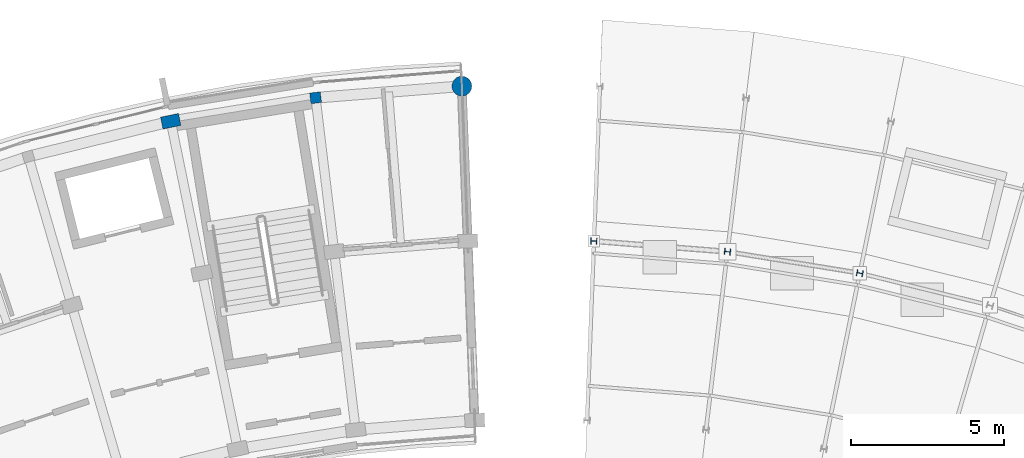
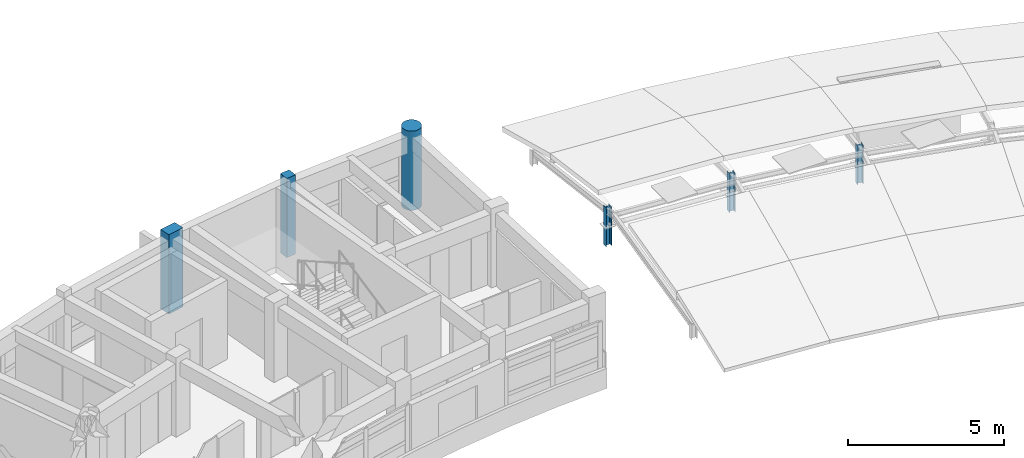
# One storey, part 2 of 20: 6 columns.
"""IFC4 building model written with IfcOpenShell, lengths in metres."""

from ifc_helpers import new_model, si_unit, direction, frame, origin, origin_2d, place, context, subcontext, project, spatial, rectangle, circle, i_section, extrude, material, material_profile, profile_set, type_object, element, save


model = new_model("IFC4")

# Units and contexts
model_context = context("Model", 3, precision=1e-05, world=origin(), true_north=direction((0.0, 1.0)))
body_context = subcontext(model_context, "Body", "Model", "MODEL_VIEW")
ifc_project = project(units=[si_unit("LENGTHUNIT", "METRE"), si_unit("AREAUNIT", "SQUARE_METRE"), si_unit("VOLUMEUNIT", "CUBIC_METRE"), si_unit("PLANEANGLEUNIT", "RADIAN"), si_unit("MASSUNIT", "GRAM", prefix="KILO")], contexts=[model_context])

# Site, building, storey
site_placement = place(None, origin())
site = spatial("IfcSite", under=ifc_project, at=site_placement, CompositionType="ELEMENT")
building_placement = place(site_placement, origin())
building = spatial("IfcBuilding", under=site, at=building_placement, Name="Zimvara Arc Housing Community", CompositionType="ELEMENT")
storey_placement = place(building_placement, frame((0.0, 0.0, 39.10009765625)))
storey = spatial("IfcBuildingStorey", under=building, at=storey_placement, Name="L12", CompositionType="ELEMENT", Elevation=39.10009765625)

# Columns
ifc_material_1 = material(Name="Concrete C40/50", Category="concrete")
ifc_material_profile_1 = material_profile(ifc_material_1, rectangle(XDim=0.35009765625, YDim=0.35009765625, at=origin_2d()), Name="RC 350x350")
ifc_profile_set_1 = profile_set([ifc_material_profile_1], Name="Concrete C40/50")
column_type_1 = type_object("IfcColumnType", Name="COL-RC-350x350", PredefinedType="COLUMN", material=ifc_profile_set_1)
column_1_placement = place(storey_placement, frame((37.94677734375, 102.9560546875, 0.0), z_axis=(0.0, 0.0, 1.0), x_axis=(-0.119790293837, 0.992799217114, 0.0)))
element("IfcColumn", 1, at=column_1_placement, inside=storey, type_object=column_type_1, Name="col:blkA:L12:b9:r3", PredefinedType="COLUMN", context=body_context, shape_type="SweptSolid", body=[
    extrude(rectangle(XDim=0.35009765625, YDim=0.35009765625, at=origin_2d()), origin(), (0.0, 0.0, 1.0), 3.099853515625),
])
ifc_material_2 = material(Name="Concrete C40/50", Category="concrete")
ifc_material_profile_2 = material_profile(ifc_material_2, rectangle(XDim=0.39990234375, YDim=0.60009765625, at=origin_2d()), Name="RC 400x600")
ifc_profile_set_2 = profile_set([ifc_material_profile_2], Name="Concrete C40/50")
column_type_2 = type_object("IfcColumnType", Name="COL-RC-400x600", PredefinedType="COLUMN", material=ifc_profile_set_2)
column_2_placement = place(storey_placement, frame((33.20068359375, 102.185546875, 0.0), z_axis=(0.0, 0.0, 1.0), x_axis=(-0.200393999665, 0.979715389742, 0.0)))
element("IfcColumn", 2, at=column_2_placement, inside=storey, type_object=column_type_2, Name="col:blkA:L12:b8:r3", PredefinedType="COLUMN", context=body_context, shape_type="SweptSolid", body=[
    extrude(rectangle(XDim=0.39990234375, YDim=0.60009765625, at=origin_2d()), origin(), (0.0, 0.0, 1.0), 3.099853515625),
])
ifc_material_3 = material(Name="Concrete C40/50", Category="concrete")
ifc_material_profile_3 = material_profile(ifc_material_3, circle(Radius=0.324951171875, at=origin_2d()), Name="RC D650")
ifc_profile_set_3 = profile_set([ifc_material_profile_3], Name="Concrete C40/50")
column_type_3 = type_object("IfcColumnType", Name="COL-RC-D600", PredefinedType="COLUMN", material=ifc_profile_set_3)
column_3_placement = place(storey_placement, frame((42.73974609375, 103.336669921875, 0.0), z_axis=(0.0, 0.0, 1.0), x_axis=(-0.038387809088, 0.999262916411, 0.0)))
element("IfcColumn", 3, at=column_3_placement, inside=storey, type_object=column_type_3, Name="col:blkA:L12:b10:r3", PredefinedType="COLUMN", context=body_context, shape_type="SweptSolid", body=[
    extrude(circle(Radius=0.324951171875, at=origin_2d()), origin(), (0.0, 0.0, 1.0), 3.099853515625),
])
ifc_material_4 = material(Name="Steel S355", Category="steel")
ifc_material_profile_4 = material_profile(ifc_material_4, i_section(OverallWidth=0.199951171875, OverallDepth=0.199951171875, WebThickness=0.009033203125, FlangeThickness=0.014892578125, FilletRadius=0.01806640625, at=origin_2d()), Name="HEB 200")
ifc_profile_set_4 = profile_set([ifc_material_profile_4], Name="Steel S355")
column_type_4 = type_object("IfcColumnType", Name="COL-ST-HEB200", PredefinedType="COLUMN", material=ifc_profile_set_4)
for number, where, z_axis, x_axis, name in (
    (4, (47.065185546875, 98.26025390625, 0.0), (0.0, 0.0, 1.0), (0.038387809088, 0.999262916411, 0.0), "col:blkB:L12:ribpost2:g0"),
    (5, (51.44482421875, 97.91259765625, 0.0), (0.0, 0.0, 1.0), (0.119790293837, 0.992799217114, 0.0), "col:blkB:L12:ribpost2:g1"),
    (6, (55.78125, 97.208740234375, 0.0), (0.0, 0.0, 1.0), (0.200393999665, 0.979715389742, 0.0), "col:blkB:L12:ribpost2:g2"),
):
    element("IfcColumn", number, at=place(storey_placement, frame(where, z_axis=z_axis, x_axis=x_axis)), inside=storey, type_object=column_type_4, Name=name, PredefinedType="COLUMN", context=body_context, shape_type="SweptSolid", body=[
        extrude(i_section(OverallWidth=0.199951171875, OverallDepth=0.199951171875, WebThickness=0.009033203125, FlangeThickness=0.014892578125, FilletRadius=0.01806640625, at=origin_2d()), origin(), (0.0, 0.0, 1.0), 1.514892578125),
    ])

save(model, "model.ifc")
